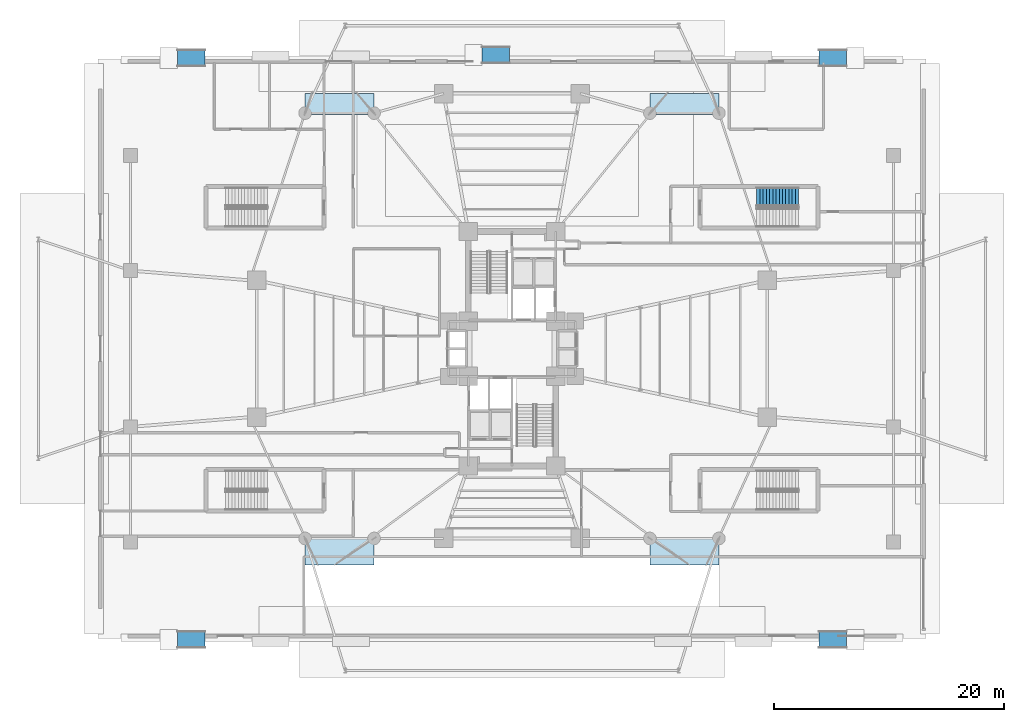
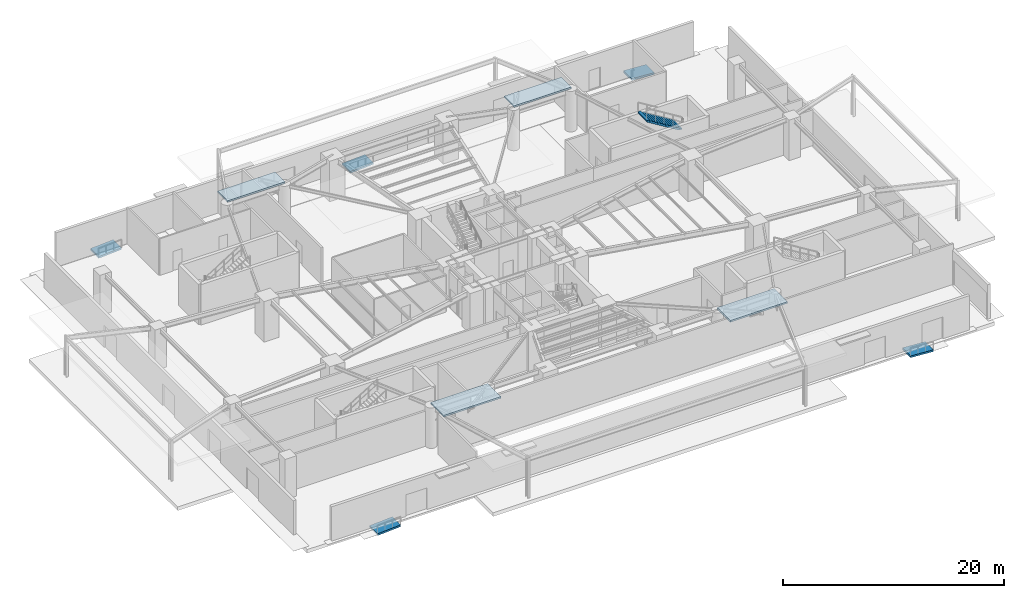
# One storey, part 21 of 31: 5 ramp flights, 4 roofs, 1 stair flight, 6 elements without a shape of their own.
"""IFC4 building model written with IfcOpenShell, lengths in metres."""

from ifc_helpers import new_model, si_unit, direction, frame, origin, place, context, subcontext, project, spatial, polyline, outline, extrude, material, layer, layer_set, type_object, element, aggregate, save


model = new_model("IFC4")

# Units and contexts
model_context = context("Model", 3, precision=1e-05, world=origin(), true_north=direction((0.0, 1.0)))
body_context = subcontext(model_context, "Body", "Model", "MODEL_VIEW")
ifc_project = project(units=[si_unit("LENGTHUNIT", "METRE"), si_unit("AREAUNIT", "SQUARE_METRE"), si_unit("VOLUMEUNIT", "CUBIC_METRE"), si_unit("PLANEANGLEUNIT", "RADIAN"), si_unit("MASSUNIT", "GRAM", prefix="KILO")], contexts=[model_context])

# Site, building, storey
site_placement = place(None, origin())
site = spatial("IfcSite", under=ifc_project, at=site_placement, CompositionType="ELEMENT")
building_placement = place(site_placement, origin())
building = spatial("IfcBuilding", under=site, at=building_placement, Name="Sahyath Konkavel Grand Hotel", CompositionType="ELEMENT")
storey_placement = place(building_placement, origin())
storey = spatial("IfcBuildingStorey", under=building, at=storey_placement, Name="L00", CompositionType="ELEMENT", Elevation=0.0)

# Stair, stair flight
ifc_material_1 = material(Name="Concrete C40/50", Category="concrete")
stair_type = type_object("IfcStairType", Name="STR-ST16-480", PredefinedType="HALF_TURN_STAIR", material=ifc_material_1)
stair_placement = place(storey_placement, origin())
stair = element("IfcStair", 1, at=stair_placement, inside=storey, type_object=stair_type, Name="L00 Podium Protected Exit Stair ST-P2", PredefinedType="HALF_TURN_STAIR")
stair_flight_type = type_object("IfcStairFlightType", Name="STF-ST16-480", PredefinedType="STRAIGHT", material=ifc_material_1)
stair_flight_placement = place(storey_placement, frame((24.929931640625, 13.215087890625, 2.39990234375), z_axis=(0.0, 0.0, 1.0), x_axis=(-1.0, 0.0, 0.0)))
stair_flight = element("IfcStairFlight", 2, at=stair_flight_placement, type_object=stair_flight_type, Name="ST-P2 flight 2", NumberOfRisers=14, NumberOfTreads=13, PredefinedType="STRAIGHT", RiserHeight=0.171428571, TreadLength=0.28, context=body_context, shape_type="SweptSolid", body=[
    extrude(outline(polyline([(0.0, 0.0), (0.0, 0.17138671875), (0.280029296875, 0.17138671875), (0.280029296875, 0.3427734375), (0.56005859375, 0.3427734375), (0.56005859375, 0.514404296875), (0.840087890625, 0.514404296875), (0.840087890625, 0.685791015625), (1.1201171875, 0.685791015625), (1.1201171875, 0.857177734375), (1.39990234375, 0.857177734375), (1.39990234375, 1.028564453125), (1.679931640625, 1.028564453125), (1.679931640625, 1.199951171875), (1.9599609375, 1.199951171875), (1.9599609375, 1.371337890625), (2.239990234375, 1.371337890625), (2.239990234375, 1.54296875), (2.52001953125, 1.54296875), (2.52001953125, 1.71435546875), (2.800048828125, 1.71435546875), (2.800048828125, 1.8857421875), (3.080078125, 1.8857421875), (3.080078125, 2.05712890625), (3.360107421875, 2.05712890625), (3.360107421875, 2.228515625), (3.639892578125, 2.228515625), (3.639892578125, 2.39990234375), (3.639892578125, 2.052734375), (0.287109375, 0.0), (0.0, 0.0)])), frame((0.0, 0.824951171875, 0.0), z_axis=(0.0, -1.0, 0.0), x_axis=(1.0, 0.0, 0.0)), (0.0, 0.0, 1.0), 1.64990234375),
])
aggregate(stair, [stair_flight])

# Ramp, ramp flight
ramp_type = type_object("IfcRampType", Name="RMP-PED-1800", PredefinedType="STRAIGHT_RUN_RAMP", material=ifc_material_1)
ramp_1_placement = place(storey_placement, origin())
ramp_1 = element("IfcRamp", 3, at=ramp_1_placement, inside=storey, type_object=ramp_type, Name="Accessible Pedestrian Entrance Ramp PR-1", PredefinedType="STRAIGHT_RUN_RAMP")
ifc_layer_1 = layer(ifc_material_1, 0.199951171875)
ifc_layer_set_1 = layer_set([ifc_layer_1], Name="Concrete C40/50")
ramp_flight_type = type_object("IfcRampFlightType", Name="RMF-PED-1800", PredefinedType="STRAIGHT", material=ifc_layer_set_1)
ramp_flight_1_placement = place(storey_placement, frame((-29.10009765625, 25.300048828125, -0.14990234375), z_axis=(0.0, 0.0, 1.0), x_axis=(1.0, 0.0, 0.0)))
ramp_flight_1 = element("IfcRampFlight", 4, at=ramp_flight_1_placement, type_object=ramp_flight_type, Name="Accessible Pedestrian Ramp Flight PR-1", PredefinedType="STRAIGHT", context=body_context, shape_type="SweptSolid", body=[
    extrude(outline(polyline([(0.0, 0.0), (0.0, -0.199951171875), (2.39990234375, -0.050048828125), (2.39990234375, 0.14990234375), (0.0, 0.0)])), frame((0.0, 0.75, 0.0), z_axis=(0.0, -1.0, 0.0), x_axis=(1.0, 0.0, 0.0)), (0.0, 0.0, 1.0), 1.5),
])
aggregate(ramp_1, [ramp_flight_1])

ramp_2_placement = place(storey_placement, origin())
ramp_2 = element("IfcRamp", 5, at=ramp_2_placement, inside=storey, type_object=ramp_type, Name="Accessible Pedestrian Entrance Ramp PR-2", PredefinedType="STRAIGHT_RUN_RAMP")
ramp_flight_2_placement = place(storey_placement, frame((29.10009765625, 25.300048828125, -0.14990234375), z_axis=(0.0, 0.0, 1.0), x_axis=(-1.0, 0.0, 0.0)))
ramp_flight_2 = element("IfcRampFlight", 6, at=ramp_flight_2_placement, type_object=ramp_flight_type, Name="Accessible Pedestrian Ramp Flight PR-2", PredefinedType="STRAIGHT", context=body_context, shape_type="SweptSolid", body=[
    extrude(outline(polyline([(0.0, 0.0), (0.0, -0.199951171875), (2.39990234375, -0.050048828125), (2.39990234375, 0.14990234375), (0.0, 0.0)])), frame((0.0, 0.75, 0.0), z_axis=(0.0, -1.0, 0.0), x_axis=(1.0, 0.0, 0.0)), (0.0, 0.0, 1.0), 1.5),
])
aggregate(ramp_2, [ramp_flight_2])

ramp_3_placement = place(storey_placement, origin())
ramp_3 = element("IfcRamp", 7, at=ramp_3_placement, inside=storey, type_object=ramp_type, Name="Accessible Pedestrian Entrance Ramp PR-3", PredefinedType="STRAIGHT_RUN_RAMP")
ramp_flight_3_placement = place(storey_placement, frame((-29.10009765625, -25.300048828125, -0.14990234375), z_axis=(0.0, 0.0, 1.0), x_axis=(1.0, 0.0, 0.0)))
ramp_flight_3 = element("IfcRampFlight", 8, at=ramp_flight_3_placement, type_object=ramp_flight_type, Name="Accessible Pedestrian Ramp Flight PR-3", PredefinedType="STRAIGHT", context=body_context, shape_type="SweptSolid", body=[
    extrude(outline(polyline([(0.0, 0.0), (0.0, -0.199951171875), (2.39990234375, -0.050048828125), (2.39990234375, 0.14990234375), (0.0, 0.0)])), frame((0.0, 0.75, 0.0), z_axis=(0.0, -1.0, 0.0), x_axis=(1.0, 0.0, 0.0)), (0.0, 0.0, 1.0), 1.5),
])
aggregate(ramp_3, [ramp_flight_3])

ramp_4_placement = place(storey_placement, origin())
ramp_4 = element("IfcRamp", 9, at=ramp_4_placement, inside=storey, type_object=ramp_type, Name="Accessible Pedestrian Entrance Ramp PR-4", PredefinedType="STRAIGHT_RUN_RAMP")
ramp_flight_4_placement = place(storey_placement, frame((29.10009765625, -25.300048828125, -0.14990234375), z_axis=(0.0, 0.0, 1.0), x_axis=(-1.0, 0.0, 0.0)))
ramp_flight_4 = element("IfcRampFlight", 10, at=ramp_flight_4_placement, type_object=ramp_flight_type, Name="Accessible Pedestrian Ramp Flight PR-4", PredefinedType="STRAIGHT", context=body_context, shape_type="SweptSolid", body=[
    extrude(outline(polyline([(0.0, 0.0), (0.0, -0.199951171875), (2.39990234375, -0.050048828125), (2.39990234375, 0.14990234375), (0.0, 0.0)])), frame((0.0, 0.75, 0.0), z_axis=(0.0, -1.0, 0.0), x_axis=(1.0, 0.0, 0.0)), (0.0, 0.0, 1.0), 1.5),
])
aggregate(ramp_4, [ramp_flight_4])

ramp_5_placement = place(storey_placement, origin())
ramp_5 = element("IfcRamp", 11, at=ramp_5_placement, inside=storey, type_object=ramp_type, Name="Accessible Pedestrian Entrance Ramp PR-5", PredefinedType="STRAIGHT_RUN_RAMP")
ramp_flight_5_placement = place(storey_placement, frame((-2.60009765625, 25.550048828125, -0.14990234375), z_axis=(0.0, 0.0, 1.0), x_axis=(1.0, 0.0, 0.0)))
ramp_flight_5 = element("IfcRampFlight", 12, at=ramp_flight_5_placement, type_object=ramp_flight_type, Name="Accessible Pedestrian Ramp Flight PR-5", PredefinedType="STRAIGHT", context=body_context, shape_type="SweptSolid", body=[
    extrude(outline(polyline([(0.0, 0.0), (0.0, -0.199951171875), (2.39990234375, -0.050048828125), (2.39990234375, 0.14990234375), (0.0, 0.0)])), frame((0.0, 0.75, 0.0), z_axis=(0.0, -1.0, 0.0), x_axis=(1.0, 0.0, 0.0)), (0.0, 0.0, 1.0), 1.5),
])
aggregate(ramp_5, [ramp_flight_5])

# Roofs
ifc_material_2 = material(Name="Warm Buff Sandstone & Steel E350 Canopy", Category="masonry")
ifc_layer_2 = layer(ifc_material_2, 0.179931640625)
ifc_layer_set_2 = layer_set([ifc_layer_2], Name="Warm Buff Sandstone & Steel E350 Canopy")
roof_type = type_object("IfcRoofType", Name="ROOF-CANOPY-180", PredefinedType="FLAT_ROOF", material=ifc_layer_set_2)
roof_1_placement = place(storey_placement, frame((0.0, 0.0, 4.47998046875)))
element("IfcRoof", 13, at=roof_1_placement, inside=storey, type_object=roof_type, Name="Monsoon Arrival Canopy N-West", PredefinedType="FLAT_ROOF", context=body_context, shape_type="SweptSolid", body=[
    extrude(outline(polyline([(-18.0, 20.39990234375), (-12.0, 20.39990234375), (-12.0, 22.199951171875), (-18.0, 22.199951171875), (-18.0, 20.39990234375)])), origin(), (0.0, 0.0, 1.0), 0.179931640625),
])
roof_2_placement = place(storey_placement, frame((0.0, 0.0, 4.47998046875)))
element("IfcRoof", 14, at=roof_2_placement, inside=storey, type_object=roof_type, Name="Monsoon Arrival Canopy N-East", PredefinedType="FLAT_ROOF", context=body_context, shape_type="SweptSolid", body=[
    extrude(outline(polyline([(12.0, 20.39990234375), (18.0, 20.39990234375), (18.0, 22.199951171875), (12.0, 22.199951171875), (12.0, 20.39990234375)])), origin(), (0.0, 0.0, 1.0), 0.179931640625),
])
roof_3_placement = place(storey_placement, frame((0.0, 0.0, 4.47998046875)))
element("IfcRoof", 15, at=roof_3_placement, inside=storey, type_object=roof_type, Name="Monsoon Arrival Canopy S-West", PredefinedType="FLAT_ROOF", context=body_context, shape_type="SweptSolid", body=[
    extrude(outline(polyline([(-18.0, -18.800048828125), (-12.0, -18.800048828125), (-12.0, -16.39990234375), (-18.0, -16.39990234375), (-18.0, -18.800048828125)])), origin(), (0.0, 0.0, 1.0), 0.179931640625),
])
roof_4_placement = place(storey_placement, frame((0.0, 0.0, 4.47998046875)))
element("IfcRoof", 16, at=roof_4_placement, inside=storey, type_object=roof_type, Name="Monsoon Arrival Canopy S-East", PredefinedType="FLAT_ROOF", context=body_context, shape_type="SweptSolid", body=[
    extrude(outline(polyline([(12.0, -18.800048828125), (18.0, -18.800048828125), (18.0, -16.39990234375), (12.0, -16.39990234375), (12.0, -18.800048828125)])), origin(), (0.0, 0.0, 1.0), 0.179931640625),
])

save(model, "model.ifc")
